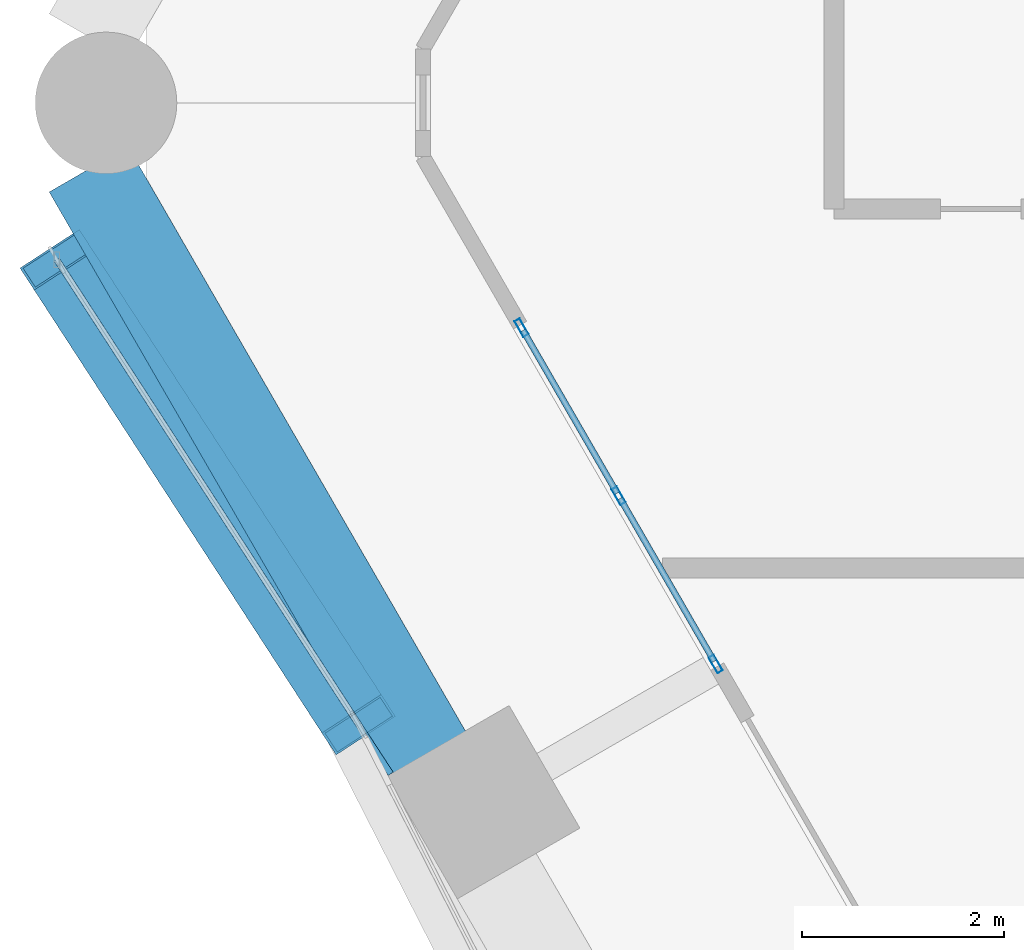
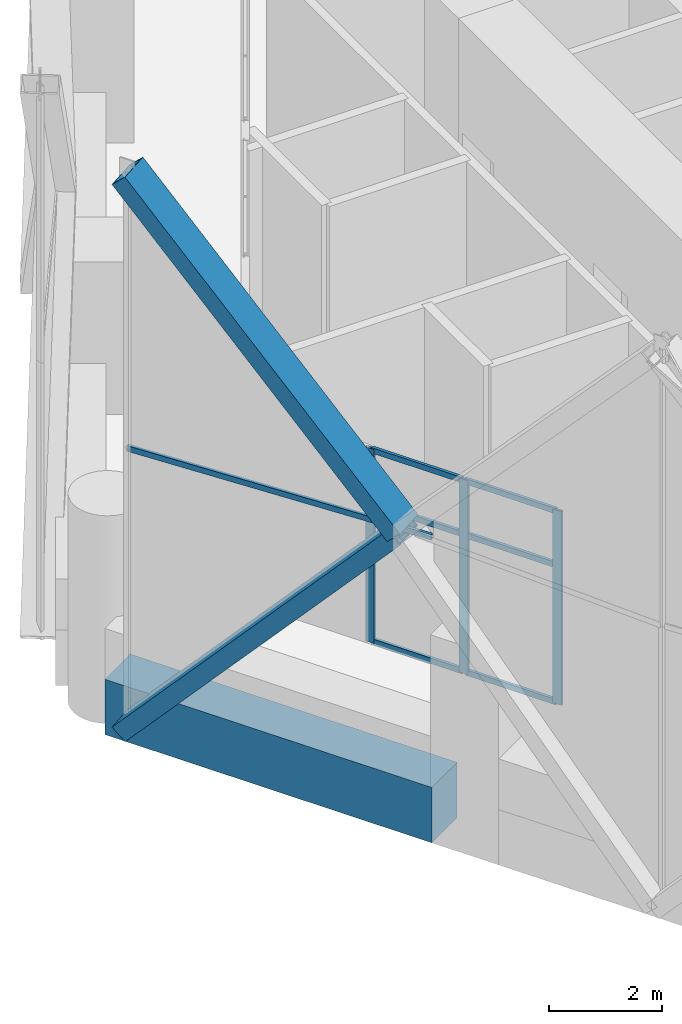
# One storey, part 11 of 46: 12 members, 1 beam, 2 elements without a shape of their own.
"""IFC4 building model written with IfcOpenShell, lengths in metres."""

from ifc_helpers import new_model, si_unit, direction, frame, origin, origin_2d, place, context, subcontext, project, spatial, rectangle, hollow_rectangle, extrude, material, material_profile, profile_set, type_object, element, aggregate, save


model = new_model("IFC4")

# Units and contexts
model_context = context("Model", 3, precision=1e-05, world=origin(), true_north=direction((0.0, 1.0)))
body_context = subcontext(model_context, "Body", "Model", "MODEL_VIEW")
ifc_project = project(units=[si_unit("LENGTHUNIT", "METRE"), si_unit("AREAUNIT", "SQUARE_METRE"), si_unit("VOLUMEUNIT", "CUBIC_METRE"), si_unit("PLANEANGLEUNIT", "RADIAN"), si_unit("MASSUNIT", "GRAM", prefix="KILO")], contexts=[model_context])

# Site, building, storey
site_placement = place(None, origin())
site = spatial("IfcSite", under=ifc_project, at=site_placement, CompositionType="ELEMENT")
building_placement = place(site_placement, origin())
building = spatial("IfcBuilding", under=site, at=building_placement, Name="Ostrander Bayou Hotel Tower", CompositionType="ELEMENT")
storey_placement = place(building_placement, frame((0.0, 0.0, 23.5)))
storey = spatial("IfcBuildingStorey", under=building, at=storey_placement, Name="L05", CompositionType="ELEMENT", Elevation=23.5)

# Curtain wall, member
ifc_material_1 = material(Name="Aluminium and clear glass", Category="aluminium")
curtain_wall_type_1 = type_object("IfcCurtainWallType", Name="CW-LAT lattice glazing", PredefinedType="NOTDEFINED", material=ifc_material_1)
curtain_wall_1_placement = place(storey_placement, origin())
curtain_wall_1 = element("IfcCurtainWall", 1, at=curtain_wall_1_placement, inside=storey, type_object=curtain_wall_type_1, Name="CW-LAT L05 SW 2", PredefinedType="NOTDEFINED")
ifc_material_2 = material(Name="Aluminium", Category="aluminium")
ifc_material_profile_1 = material_profile(ifc_material_2, hollow_rectangle(XDim=0.06005859375, YDim=0.1201171875, WallThickness=0.00390625, at=origin_2d()))
ifc_profile_set_1 = profile_set([ifc_material_profile_1], Name="Aluminium")
member_type_1 = type_object("IfcMemberType", Name="CW-LA transom 60 x 120 mm", PredefinedType="USERDEFINED", material=ifc_profile_set_1)
member_1_placement = place(storey_placement, frame((-24.58837890625, -1.551513671875, 5.39990234375), z_axis=(0.544652890505, -0.838661569922, 0.0), x_axis=(0.838661569922, 0.544652890505, 0.0)))
member_1 = element("IfcMember", 2, at=member_1_placement, type_object=member_type_1, Name="CW-LAT transom 3", ObjectType="TRANSOM", PredefinedType="USERDEFINED", context=body_context, shape_type="SweptSolid", body=[
    extrude(hollow_rectangle(XDim=0.06005859375, YDim=0.1201171875, WallThickness=0.00390625, at=origin_2d()), origin(), (0.0, 0.0, 1.0), 6.0634765625),
])
aggregate(curtain_wall_1, [member_1])

# Curtain wall, members
ifc_material_3 = material(Name="Aluminium and clear glass", Category="aluminium")
curtain_wall_type_2 = type_object("IfcCurtainWallType", Name="CW-SKY amenity glass wall", PredefinedType="NOTDEFINED", material=ifc_material_3)
curtain_wall_2_placement = place(storey_placement, origin())
curtain_wall_2 = element("IfcCurtainWall", 3, at=curtain_wall_2_placement, inside=storey, type_object=curtain_wall_type_2, Name="CW-SKY L05 SW 1", PredefinedType="NOTDEFINED")
ifc_material_4 = material(Name="Aluminium", Category="aluminium")
ifc_material_profile_2 = material_profile(ifc_material_4, hollow_rectangle(XDim=0.06005859375, YDim=0.179931640625, WallThickness=0.00390625, at=origin_2d()))
ifc_profile_set_2 = profile_set([ifc_material_profile_2], Name="Aluminium")
member_type_2 = type_object("IfcMemberType", Name="CW-SK mullion 60 x 180 mm", PredefinedType="MULLION", material=ifc_profile_set_2)
member_2_placement = place(storey_placement, frame((-19.991455078125, -2.2236328125, 0.0), z_axis=(0.0, 0.0, 1.0), x_axis=(0.866025463091, 0.499999897278, 0.0)))
member_2 = element("IfcMember", 4, at=member_2_placement, type_object=member_type_2, Name="CW-SKY mullion 1", PredefinedType="MULLION", context=body_context, shape_type="SweptSolid", body=[
    extrude(hollow_rectangle(XDim=0.06005859375, YDim=0.179931640625, WallThickness=0.00390625, at=origin_2d()), origin(), (0.0, 0.0, 1.0), 4.199951171875),
])
member_3_placement = place(storey_placement, frame((-19.031494140625, -3.886474609375, 0.0), z_axis=(0.0, 0.0, 1.0), x_axis=(0.866025463091, 0.499999897278, 0.0)))
member_3 = element("IfcMember", 5, at=member_3_placement, type_object=member_type_2, Name="CW-SKY mullion 2", PredefinedType="MULLION", context=body_context, shape_type="SweptSolid", body=[
    extrude(hollow_rectangle(XDim=0.06005859375, YDim=0.179931640625, WallThickness=0.00390625, at=origin_2d()), origin(), (0.0, 0.0, 1.0), 4.199951171875),
])
member_4_placement = place(storey_placement, frame((-18.071533203125, -5.54931640625, 0.0), z_axis=(0.0, 0.0, 1.0), x_axis=(0.866025463091, 0.499999897278, 0.0)))
member_4 = element("IfcMember", 6, at=member_4_placement, type_object=member_type_2, Name="CW-SKY mullion 3", PredefinedType="MULLION", context=body_context, shape_type="SweptSolid", body=[
    extrude(hollow_rectangle(XDim=0.06005859375, YDim=0.179931640625, WallThickness=0.00390625, at=origin_2d()), origin(), (0.0, 0.0, 1.0), 4.199951171875),
])
ifc_material_5 = material(Name="Aluminium", Category="aluminium")
ifc_material_profile_3 = material_profile(ifc_material_5, hollow_rectangle(XDim=0.06005859375, YDim=0.1201171875, WallThickness=0.00390625, at=origin_2d()))
ifc_profile_set_3 = profile_set([ifc_material_profile_3], Name="Aluminium")
member_type_3 = type_object("IfcMemberType", Name="CW-SK transom 60 x 120 mm", PredefinedType="USERDEFINED", material=ifc_profile_set_3)
member_5_placement = place(storey_placement, frame((-19.9765625, -2.249755859375, 0.030029296875), z_axis=(0.50012012977, -0.86595603572, 0.0), x_axis=(0.86595603572, 0.50012012977, 0.0)))
member_5 = element("IfcMember", 7, at=member_5_placement, type_object=member_type_3, Name="CW-SKY transom 1.1", ObjectType="TRANSOM", PredefinedType="USERDEFINED", context=body_context, shape_type="SweptSolid", body=[
    extrude(hollow_rectangle(XDim=0.06005859375, YDim=0.1201171875, WallThickness=0.00390625, at=origin_2d()), origin(), (0.0, 0.0, 1.0), 1.85986328125),
])
member_6_placement = place(storey_placement, frame((-19.9765625, -2.249755859375, 3.0), z_axis=(0.50012012977, -0.86595603572, 0.0), x_axis=(0.86595603572, 0.50012012977, 0.0)))
member_6 = element("IfcMember", 8, at=member_6_placement, type_object=member_type_3, Name="CW-SKY transom 1.2", ObjectType="TRANSOM", PredefinedType="USERDEFINED", context=body_context, shape_type="SweptSolid", body=[
    extrude(hollow_rectangle(XDim=0.06005859375, YDim=0.1201171875, WallThickness=0.00390625, at=origin_2d()), origin(), (0.0, 0.0, 1.0), 1.85986328125),
])
member_7_placement = place(storey_placement, frame((-19.9765625, -2.249755859375, 4.169921875), z_axis=(0.50012012977, -0.86595603572, 0.0), x_axis=(0.86595603572, 0.50012012977, 0.0)))
member_7 = element("IfcMember", 9, at=member_7_placement, type_object=member_type_3, Name="CW-SKY transom 1.3", ObjectType="TRANSOM", PredefinedType="USERDEFINED", context=body_context, shape_type="SweptSolid", body=[
    extrude(hollow_rectangle(XDim=0.06005859375, YDim=0.1201171875, WallThickness=0.00390625, at=origin_2d()), origin(), (0.0, 0.0, 1.0), 1.85986328125),
])
member_8_placement = place(storey_placement, frame((-19.0166015625, -3.912353515625, 0.030029296875), z_axis=(0.500063286585, -0.865988862174, 0.0), x_axis=(0.865988862174, 0.500063286585, 0.0)))
member_8 = element("IfcMember", 10, at=member_8_placement, type_object=member_type_3, Name="CW-SKY transom 2.1", ObjectType="TRANSOM", PredefinedType="USERDEFINED", context=body_context, shape_type="SweptSolid", body=[
    extrude(hollow_rectangle(XDim=0.06005859375, YDim=0.1201171875, WallThickness=0.00390625, at=origin_2d()), origin(), (0.0, 0.0, 1.0), 1.860107421875),
])
member_9_placement = place(storey_placement, frame((-19.0166015625, -3.912353515625, 3.0), z_axis=(0.500063286585, -0.865988862174, 0.0), x_axis=(0.865988862174, 0.500063286585, 0.0)))
member_9 = element("IfcMember", 11, at=member_9_placement, type_object=member_type_3, Name="CW-SKY transom 2.2", ObjectType="TRANSOM", PredefinedType="USERDEFINED", context=body_context, shape_type="SweptSolid", body=[
    extrude(hollow_rectangle(XDim=0.06005859375, YDim=0.1201171875, WallThickness=0.00390625, at=origin_2d()), origin(), (0.0, 0.0, 1.0), 1.860107421875),
])
member_10_placement = place(storey_placement, frame((-19.0166015625, -3.912353515625, 4.169921875), z_axis=(0.500063286585, -0.865988862174, 0.0), x_axis=(0.865988862174, 0.500063286585, 0.0)))
member_10 = element("IfcMember", 12, at=member_10_placement, type_object=member_type_3, Name="CW-SKY transom 2.3", ObjectType="TRANSOM", PredefinedType="USERDEFINED", context=body_context, shape_type="SweptSolid", body=[
    extrude(hollow_rectangle(XDim=0.06005859375, YDim=0.1201171875, WallThickness=0.00390625, at=origin_2d()), origin(), (0.0, 0.0, 1.0), 1.860107421875),
])
aggregate(curtain_wall_2, [member_2, member_3, member_4, member_5, member_6, member_7, member_8, member_9, member_10])

# Members
ifc_material_6 = material(Name="Steel ASTM A572 Gr 50", Category="steel")
ifc_material_profile_4 = material_profile(ifc_material_6, hollow_rectangle(XDim=0.699951171875, YDim=0.35009765625, WallThickness=0.02490234375, at=origin_2d()))
ifc_profile_set_4 = profile_set([ifc_material_profile_4], Name="Steel ASTM A572 Gr 50")
member_type_4 = type_object("IfcMemberType", Name="LT1 lattice member box 700 x 350 x 25 mm", PredefinedType="BRACE", material=ifc_profile_set_4)
for number, where, z_axis, x_axis, name in (
    (13, (-21.602294921875, -6.14990234375, 5.39990234375), (-0.367389353797, 0.565757377056, -0.738202989037), (-0.838682608864, -0.544620493178, 0.0), "LT1 L05 SW 1"),
    (14, (-21.602294921875, -6.14990234375, 5.39990234375), (-0.367389353797, 0.565757377056, 0.738202989037), (-0.838682608864, -0.544620493178, 0.0), "LT1 L05 SW 2"),
):
    element("IfcMember", number, at=place(storey_placement, frame(where, z_axis=z_axis, x_axis=x_axis)), inside=storey, type_object=member_type_4, Name=name, PredefinedType="BRACE", context=body_context, shape_type="SweptSolid", body=[
        extrude(hollow_rectangle(XDim=0.699951171875, YDim=0.35009765625, WallThickness=0.02490234375, at=origin_2d()), origin(), (0.0, 0.0, 1.0), 8.1279296875),
    ])

# Beam
ifc_material_7 = material(Name="Concrete f'c 70 MPa", Category="concrete")
ifc_material_profile_5 = material_profile(ifc_material_7, rectangle(XDim=0.89990234375, YDim=1.199951171875, at=origin_2d()))
ifc_profile_set_5 = profile_set([ifc_material_profile_5], Name="Concrete f'c 70 MPa")
beam_type = type_object("IfcBeamType", Name="SP1 spandrel beam 900 x 1200 mm f'c 70 MPa", PredefinedType="SPANDREL", material=ifc_profile_set_5)
beam_placement = place(storey_placement, frame((-24.274169921875, -0.656005859375, -0.60009765625), z_axis=(0.500005133765, -0.866022439784, 0.0), x_axis=(0.866022439784, 0.500005133765, 0.0)))
element("IfcBeam", 15, at=beam_placement, inside=storey, type_object=beam_type, Name="SP1 L05 SW-1", PredefinedType="SPANDREL", context=body_context, shape_type="SweptSolid", body=[
    extrude(rectangle(XDim=0.89990234375, YDim=1.199951171875, at=origin_2d()), origin(), (0.0, 0.0, 1.0), 6.70361328125),
])

save(model, "model.ifc")
